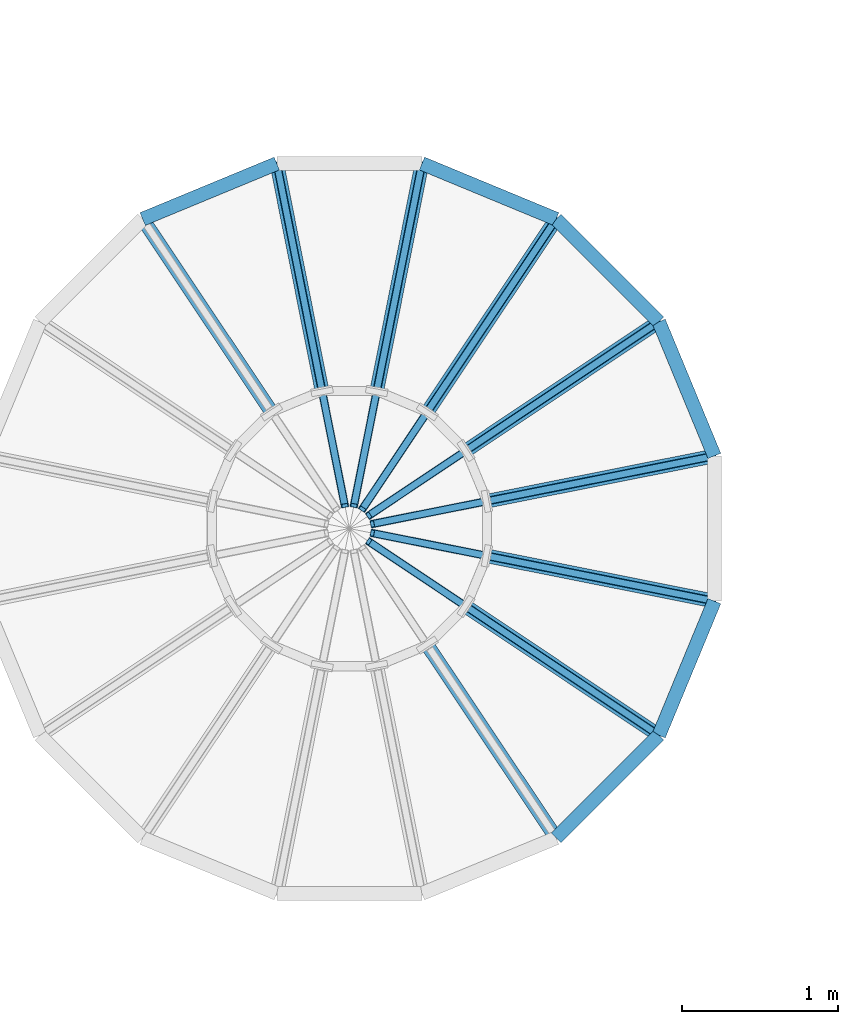
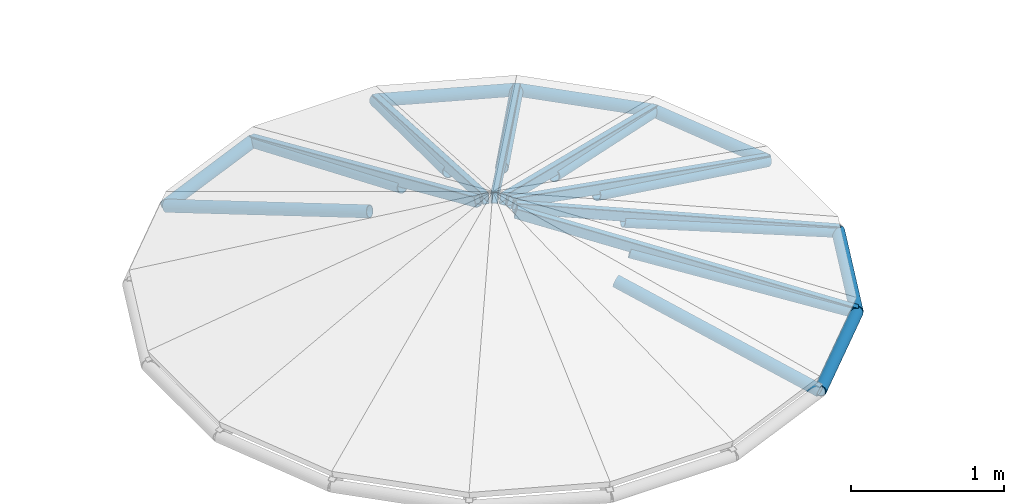
# One storey, part 2 of 42: 22 members.
"""IFC4 building model written with IfcOpenShell, lengths in metres."""

from ifc_helpers import new_model, si_unit, direction, frame, origin, origin_2d, place, context, subcontext, project, spatial, hollow_rectangle, hollow_circle, extrude, material, material_profile, profile_set, type_object, element, save


model = new_model("IFC4")

# Units and contexts
model_context = context("Model", 3, precision=1e-05, world=origin(), true_north=direction((0.0, 1.0)))
body_context = subcontext(model_context, "Body", "Model", "MODEL_VIEW")
ifc_project = project(units=[si_unit("LENGTHUNIT", "METRE"), si_unit("AREAUNIT", "SQUARE_METRE"), si_unit("VOLUMEUNIT", "CUBIC_METRE"), si_unit("PLANEANGLEUNIT", "RADIAN"), si_unit("MASSUNIT", "GRAM", prefix="KILO")], contexts=[model_context])

# Site, building, storey
site_placement = place(None, origin())
site = spatial("IfcSite", under=ifc_project, at=site_placement, CompositionType="ELEMENT")
building_placement = place(site_placement, origin())
building = spatial("IfcBuilding", under=site, at=building_placement, Name="Sun Court Science Centre", CompositionType="ELEMENT")
storey_placement = place(building_placement, frame((0.0, 0.0, 20.25)))
storey = spatial("IfcBuildingStorey", under=building, at=storey_placement, Name="L04", CompositionType="ELEMENT", Elevation=20.25)

# Members
ifc_material_1 = material(Name="Aluminium EN AW-6063 T6", Category="aluminium")
ifc_material_profile_1 = material_profile(ifc_material_1, hollow_rectangle(XDim=0.050048828125, YDim=0.080078125, WallThickness=0.00390625, InnerFilletRadius=0.00390625, OuterFilletRadius=0.006103515625, at=origin_2d()), Name="AL 50x80x4")
ifc_profile_set_1 = profile_set([ifc_material_profile_1], Name="Aluminium EN AW-6063 T6")
member_type_1 = type_object("IfcMemberType", Name="Glazing bar AL 50x80", PredefinedType="USERDEFINED", material=ifc_profile_set_1)
member_1_placement = place(storey_placement, frame((32.34228515625, 11.9658203125, 0.199951171875), z_axis=(-0.937008691916, -0.186338732193, 0.295453191145), x_axis=(0.195046134473, -0.980794068817, 0.0)))
element("IfcMember", 1, at=member_1_placement, inside=storey, type_object=member_type_1, Name="Lantern glazing bar cone 3 01", ObjectType="Glazing bar", PredefinedType="USERDEFINED", context=body_context, shape_type="SweptSolid", body=[
    extrude(hollow_rectangle(XDim=0.050048828125, YDim=0.080078125, WallThickness=0.00390625, InnerFilletRadius=0.00390625, OuterFilletRadius=0.006103515625, at=origin_2d()), origin(), (0.0, 0.0, 1.0), 2.342529296875),
])
for number, where, z_axis, x_axis, name in (
    (2, (31.98583984375, 12.826904296875, 0.199951171875), (-0.794337540447, -0.530808793262, 0.295414787769), (0.555605992859, -0.831445717229, 0.0), "Lantern glazing bar cone 3 02"),
    (3, (31.326904296875, 13.48583984375, 0.199951171875), (-0.530808793262, -0.794337540447, 0.295414787769), (0.831445717229, -0.555605992859, 0.0), "Lantern glazing bar cone 3 03"),
):
    element("IfcMember", number, at=place(storey_placement, frame(where, z_axis=z_axis, x_axis=x_axis)), inside=storey, type_object=member_type_1, Name=name, ObjectType="Glazing bar", PredefinedType="USERDEFINED", context=body_context, shape_type="SweptSolid", body=[
        extrude(hollow_rectangle(XDim=0.050048828125, YDim=0.080078125, WallThickness=0.00390625, InnerFilletRadius=0.00390625, OuterFilletRadius=0.006103515625, at=origin_2d()), origin(), (0.0, 0.0, 1.0), 2.343017578125),
    ])
for number, where, z_axis, x_axis, name in (
    (4, (30.4658203125, 13.84228515625, 0.199951171875), (-0.186338732193, -0.937008691916, 0.295453191145), (0.980794068817, -0.195046134473, 0.0), "Lantern glazing bar cone 3 04"),
    (5, (29.5341796875, 13.84228515625, 0.199951171875), (0.186338732193, -0.937008691916, 0.295453191145), (0.980794068817, 0.195046134473, 0.0), "Lantern glazing bar cone 3 05"),
):
    element("IfcMember", number, at=place(storey_placement, frame(where, z_axis=z_axis, x_axis=x_axis)), inside=storey, type_object=member_type_1, Name=name, ObjectType="Glazing bar", PredefinedType="USERDEFINED", context=body_context, shape_type="SweptSolid", body=[
        extrude(hollow_rectangle(XDim=0.050048828125, YDim=0.080078125, WallThickness=0.00390625, InnerFilletRadius=0.00390625, OuterFilletRadius=0.006103515625, at=origin_2d()), origin(), (0.0, 0.0, 1.0), 2.342529296875),
    ])
member_2_placement = place(storey_placement, frame((31.98583984375, 10.173095703125, 0.199951171875), z_axis=(-0.794337540447, 0.530808793262, 0.295414787769), x_axis=(-0.555605992859, -0.831445717229, 0.0)))
element("IfcMember", 6, at=member_2_placement, inside=storey, type_object=member_type_1, Name="Lantern glazing bar cone 3 15", ObjectType="Glazing bar", PredefinedType="USERDEFINED", context=body_context, shape_type="SweptSolid", body=[
    extrude(hollow_rectangle(XDim=0.050048828125, YDim=0.080078125, WallThickness=0.00390625, InnerFilletRadius=0.00390625, OuterFilletRadius=0.006103515625, at=origin_2d()), origin(), (0.0, 0.0, 1.0), 2.343017578125),
])
member_3_placement = place(storey_placement, frame((32.34228515625, 11.0341796875, 0.199951171875), z_axis=(-0.937008691916, 0.186338732193, 0.295453191145), x_axis=(-0.195046134473, -0.980794068817, 0.0)))
element("IfcMember", 7, at=member_3_placement, inside=storey, type_object=member_type_1, Name="Lantern glazing bar cone 3 16", ObjectType="Glazing bar", PredefinedType="USERDEFINED", context=body_context, shape_type="SweptSolid", body=[
    extrude(hollow_rectangle(XDim=0.050048828125, YDim=0.080078125, WallThickness=0.00390625, InnerFilletRadius=0.00390625, OuterFilletRadius=0.006103515625, at=origin_2d()), origin(), (0.0, 0.0, 1.0), 2.342529296875),
])
ifc_material_2 = material(Name="Steel S355", Category="steel")
ifc_material_profile_2 = material_profile(ifc_material_2, hollow_circle(Radius=0.04443359375, WallThickness=0.0048828125, at=origin_2d()), Name="CHS 88.9x5")
ifc_profile_set_2 = profile_set([ifc_material_profile_2], Name="Steel S355")
member_type_2 = type_object("IfcMemberType", Name="Lantern base ring CHS 88.9x5", PredefinedType="CHORD", material=ifc_profile_set_2)
for number, where, z_axis, x_axis, name in (
    (8, (32.34228515625, 11.9658203125, 0.1943359375), (-0.382475194149, 0.923965760113, 0.0), (-0.923965760113, -0.382475194149, 0.0), "Cone 3 lantern base ring 1"),
    (9, (31.98583984375, 12.826904296875, 0.1943359375), (-0.707106781187, 0.707106781187, 0.0), (-0.707106781187, -0.707106781187, 0.0), "Cone 3 lantern base ring 2"),
    (10, (31.326904296875, 13.48583984375, 0.1943359375), (-0.923965760113, 0.382475194149, 0.0), (-0.382475194149, -0.923965760113, 0.0), "Cone 3 lantern base ring 3"),
    (11, (29.5341796875, 13.84228515625, 0.1943359375), (-0.923965760113, -0.382475194149, 0.0), (0.382475194149, -0.923965760113, 0.0), "Cone 3 lantern base ring 5"),
    (12, (31.326904296875, 9.51416015625, 0.1943359375), (0.707106781187, 0.707106781187, 0.0), (-0.707106781187, 0.707106781187, 0.0), "Cone 3 lantern base ring 14"),
    (13, (31.98583984375, 10.173095703125, 0.1943359375), (0.382475194149, 0.923965760113, 0.0), (-0.923965760113, 0.382475194149, 0.0), "Cone 3 lantern base ring 15"),
):
    element("IfcMember", number, at=place(storey_placement, frame(where, z_axis=z_axis, x_axis=x_axis)), inside=storey, type_object=member_type_2, Name=name, PredefinedType="CHORD", context=body_context, shape_type="SweptSolid", body=[
        extrude(hollow_circle(Radius=0.04443359375, WallThickness=0.0048828125, at=origin_2d()), origin(), (0.0, 0.0, 1.0), 0.931884765625),
    ])
ifc_material_3 = material(Name="Steel S355", Category="steel")
ifc_material_profile_3 = material_profile(ifc_material_3, hollow_circle(Radius=0.04443359375, WallThickness=0.0048828125, at=origin_2d()), Name="CHS 88.9x5")
ifc_profile_set_3 = profile_set([ifc_material_profile_3], Name="Steel S355")
member_type_3 = type_object("IfcMemberType", Name="Lantern rafter CHS 88.9x5", PredefinedType="RAFTER", material=ifc_profile_set_3)
member_4_placement = place(storey_placement, frame((32.34228515625, 11.9658203125, 0.1943359375), z_axis=(-0.944609710644, -0.1878790475, 0.269098417067), x_axis=(0.195074834582, -0.980788360918, 0.0)))
element("IfcMember", 14, at=member_4_placement, inside=storey, type_object=member_type_3, Name="Cone 3 lantern rafter 1", PredefinedType="RAFTER", context=body_context, shape_type="SweptSolid", body=[
    extrude(hollow_circle(Radius=0.04443359375, WallThickness=0.0048828125, at=origin_2d()), origin(), (0.0, 0.0, 1.0), 1.545166015625),
])
for number, where, z_axis, x_axis, name in (
    (15, (31.98583984375, 12.826904296875, 0.1943359375), (-0.80081148443, -0.535085519385, 0.269043590054), (0.555570514751, -0.831469424055, 0.0), "Cone 3 lantern rafter 2"),
    (16, (31.326904296875, 13.48583984375, 0.1943359375), (-0.535085519385, -0.80081148443, 0.269043590054), (0.831469424055, -0.555570514751, 0.0), "Cone 3 lantern rafter 3"),
):
    element("IfcMember", number, at=place(storey_placement, frame(where, z_axis=z_axis, x_axis=x_axis)), inside=storey, type_object=member_type_3, Name=name, PredefinedType="RAFTER", context=body_context, shape_type="SweptSolid", body=[
        extrude(hollow_circle(Radius=0.04443359375, WallThickness=0.0048828125, at=origin_2d()), origin(), (0.0, 0.0, 1.0), 1.54541015625),
    ])
for number, where, z_axis, x_axis, name in (
    (17, (30.4658203125, 13.84228515625, 0.1943359375), (-0.1878790475, -0.944609710644, 0.269098417067), (0.980788360918, -0.195074834582, 0.0), "Cone 3 lantern rafter 4"),
    (18, (29.5341796875, 13.84228515625, 0.1943359375), (0.1878790475, -0.944609710644, 0.269098417067), (0.980788360918, 0.195074834582, 0.0), "Cone 3 lantern rafter 5"),
):
    element("IfcMember", number, at=place(storey_placement, frame(where, z_axis=z_axis, x_axis=x_axis)), inside=storey, type_object=member_type_3, Name=name, PredefinedType="RAFTER", context=body_context, shape_type="SweptSolid", body=[
        extrude(hollow_circle(Radius=0.04443359375, WallThickness=0.0048828125, at=origin_2d()), origin(), (0.0, 0.0, 1.0), 1.545166015625),
    ])
for number, where, z_axis, x_axis, name in (
    (19, (28.673095703125, 13.48583984375, 0.1943359375), (0.535085519385, -0.80081148443, 0.269043590054), (0.831469424055, 0.555570514751, 0.0), "Cone 3 lantern rafter 6"),
    (20, (31.326904296875, 9.51416015625, 0.1943359375), (-0.535085519385, 0.80081148443, 0.269043590054), (-0.831469424055, -0.555570514751, 0.0), "Cone 3 lantern rafter 14"),
    (21, (31.98583984375, 10.173095703125, 0.1943359375), (-0.80081148443, 0.535085519385, 0.269043590054), (-0.555570514751, -0.831469424055, 0.0), "Cone 3 lantern rafter 15"),
):
    element("IfcMember", number, at=place(storey_placement, frame(where, z_axis=z_axis, x_axis=x_axis)), inside=storey, type_object=member_type_3, Name=name, PredefinedType="RAFTER", context=body_context, shape_type="SweptSolid", body=[
        extrude(hollow_circle(Radius=0.04443359375, WallThickness=0.0048828125, at=origin_2d()), origin(), (0.0, 0.0, 1.0), 1.54541015625),
    ])
member_5_placement = place(storey_placement, frame((32.34228515625, 11.0341796875, 0.1943359375), z_axis=(-0.944609710644, 0.1878790475, 0.269098417067), x_axis=(-0.195074834582, -0.980788360918, 0.0)))
element("IfcMember", 22, at=member_5_placement, inside=storey, type_object=member_type_3, Name="Cone 3 lantern rafter 16", PredefinedType="RAFTER", context=body_context, shape_type="SweptSolid", body=[
    extrude(hollow_circle(Radius=0.04443359375, WallThickness=0.0048828125, at=origin_2d()), origin(), (0.0, 0.0, 1.0), 1.545166015625),
])

save(model, "model.ifc")
